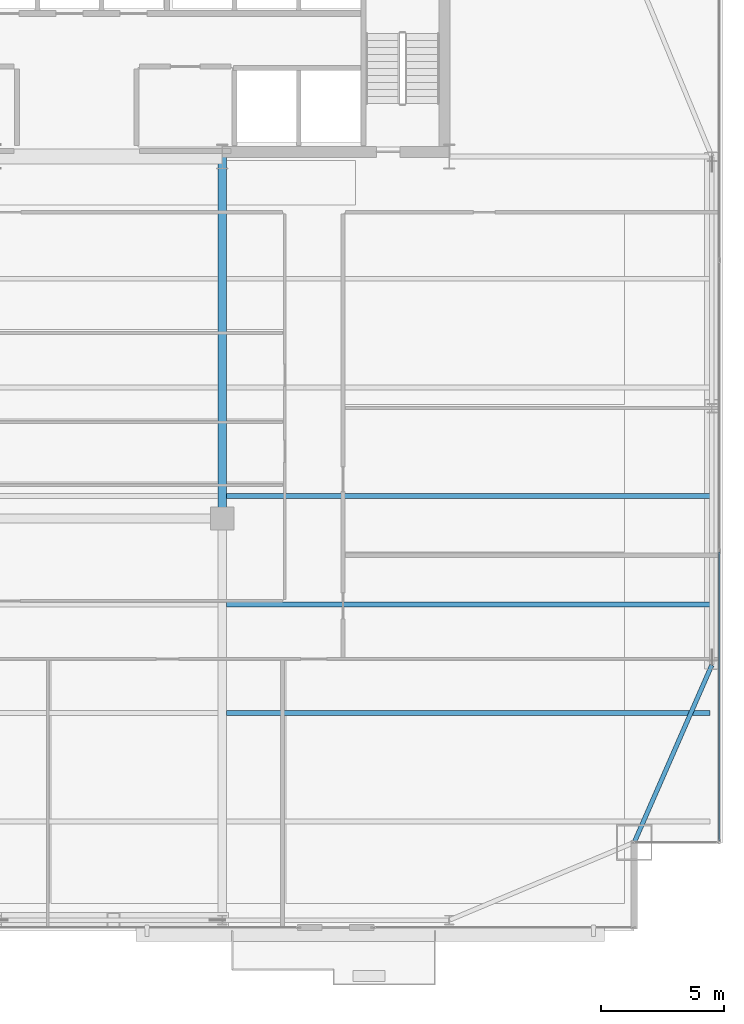
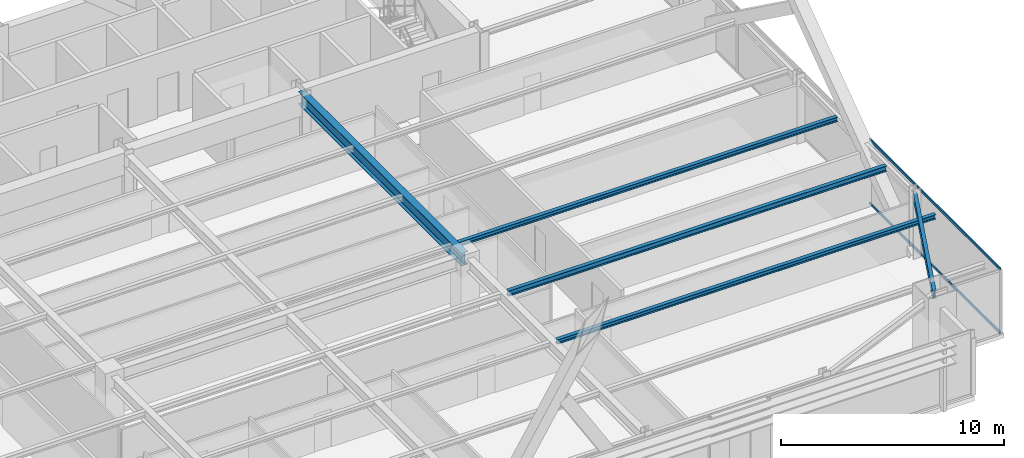
# One storey, part 18 of 37: 5 beams, 2 members, 1 element without a shape of its own.
"""IFC4 building model written with IfcOpenShell, lengths in metres."""

import ifcopenshell
import ifcopenshell.guid

model = None  # the IFC model being written
_history = None  # IfcOwnerHistory: only IFC2X3 demands one
_inside = {}  # id of a spatial element -> (the spatial element, [elements in it])
_under = {}  # id of a project, library or spatial element -> (it, [spatial elements below it])
_declared = {}  # id of a project -> (the project, [libraries it declares])
_typed = {}  # id of a type object -> (the type object, [elements of that type])
_made_of = {}  # id of a material, layer set ... -> (it, [elements and type objects made of it])


def new_model(schema):
    """Start an empty IFC model of exactly this schema.

    Asked for "IFC4X3", IfcOpenShell would pick the latest addendum, in which some entities
    have other attributes; the version numbers below select the first issue.
    IFC2X3 requires an IfcOwnerHistory on every rooted entity: one is made here for all.
    """
    global model, _history
    if schema == "IFC4X3":
        model = ifcopenshell.file(schema_version=(4, 3, 0, 0))
    else:
        model = ifcopenshell.file(schema=schema)
    _inside.clear()
    _under.clear()
    _declared.clear()
    _typed.clear()
    _made_of.clear()
    _history = None
    if model.schema == "IFC2X3":
        org = make("IfcOrganization", Name="unknown")
        user = make(
            "IfcPersonAndOrganization",
            ThePerson=make("IfcPerson", FamilyName="unknown"),
            TheOrganization=org,
        )
        app = make(
            "IfcApplication",
            ApplicationDeveloper=org,
            Version="unknown",
            ApplicationFullName="unknown",
            ApplicationIdentifier="unknown",
        )
        _history = make(
            "IfcOwnerHistory",
            OwningUser=user,
            OwningApplication=app,
            ChangeAction="ADDED",
            CreationDate=0,
        )
    return model


def make(cls, **values):
    """One entity of the class cls with the attributes given. An attribute that is None is left unset."""
    return model.create_entity(
        cls, **{name: value for name, value in values.items() if value is not None}
    )


def rooted(cls, **values):
    """An entity with a GlobalId (a new one), such as an element, a storey or a relation."""
    return make(cls, GlobalId=ifcopenshell.guid.new(), OwnerHistory=_history, **values)


def si_unit(unit_type, name, prefix=None):
    """IfcSIUnit, for example si_unit("LENGTHUNIT", "METRE", prefix="MILLI")."""
    return make("IfcSIUnit", UnitType=unit_type, Prefix=prefix, Name=name)


def assignment(units):
    """IfcUnitAssignment: the units of a project."""
    return None if units is None else make("IfcUnitAssignment", Units=units)


def point(xyz):
    """IfcCartesianPoint."""
    return None if xyz is None else make("IfcCartesianPoint", Coordinates=xyz)


def direction(xyz):
    """IfcDirection."""
    return None if xyz is None else make("IfcDirection", DirectionRatios=xyz)


def frame(location, z_axis=None, x_axis=None):
    """IfcAxis2Placement3D, a coordinate frame: its origin and axes. An axis left out is left unset."""
    return make(
        "IfcAxis2Placement3D",
        Location=point(location),
        Axis=direction(z_axis),
        RefDirection=direction(x_axis),
    )


def frame_2d(location, x_axis=None):
    """IfcAxis2Placement2D, a coordinate frame in the plane: its origin and x axis."""
    return make(
        "IfcAxis2Placement2D", Location=point(location), RefDirection=direction(x_axis)
    )


def origin():
    """The frame at (0, 0, 0) with its axes left unset."""
    return frame((0.0, 0.0, 0.0))


def origin_2d():
    """The frame at (0, 0) in the plane with its x axis left unset."""
    return frame_2d((0.0, 0.0))


def place(relative_to, where):
    """IfcLocalPlacement: puts the frame where relative to a parent placement (None: the world)."""
    return make(
        "IfcLocalPlacement", PlacementRelTo=relative_to, RelativePlacement=where
    )


def context(
    kind, dimensions, precision=None, world=None, true_north=None, identifier=None
):
    """IfcGeometricRepresentationContext, for example the 3D "Model" context."""
    return make(
        "IfcGeometricRepresentationContext",
        ContextIdentifier=identifier,
        ContextType=kind,
        CoordinateSpaceDimension=dimensions,
        Precision=precision,
        WorldCoordinateSystem=world,
        TrueNorth=true_north,
    )


def subcontext(parent, identifier, kind, view, scale=None):
    """IfcGeometricRepresentationSubContext, for example "Body" below "Model"."""
    return make(
        "IfcGeometricRepresentationSubContext",
        ContextIdentifier=identifier,
        ContextType=kind,
        ParentContext=parent,
        TargetScale=scale,
        TargetView=view,
    )


def project(units=None, contexts=None):
    """IfcProject with its units and contexts."""
    return rooted(
        "IfcProject",
        Name="project",
        RepresentationContexts=contexts,
        UnitsInContext=assignment(units),
    )


def spatial(cls, under=None, at=None, **own):
    """A site, building, storey or space (cls), placed at a placement, below another one or the project."""
    s = rooted(cls, ObjectPlacement=at, **own)
    if under is not None:
        _under.setdefault(under.id(), (under, []))[1].append(s)
    return s


def profile(cls, at=None, kind="AREA", **sizes):
    """A parametric profile (cls). Its sizes go by their IFC names, for example OverallWidth=200.0."""
    return make(cls, ProfileType=kind, Position=at, **sizes)


def hollow_rectangle(**sizes):
    """IfcRectangleHollowProfileDef."""
    return profile("IfcRectangleHollowProfileDef", **sizes)


def i_section(**sizes):
    """IfcIShapeProfileDef."""
    return profile("IfcIShapeProfileDef", **sizes)


def extrude(swept, where, along, depth):
    """IfcExtrudedAreaSolid: the profile swept, set in the frame where, extruded along a direction by depth."""
    return make(
        "IfcExtrudedAreaSolid",
        SweptArea=swept,
        Position=where,
        ExtrudedDirection=direction(along),
        Depth=depth,
    )


def shape(context_of_items, identifier, shape_type, items):
    """IfcShapeRepresentation: the items that make up one representation, for example the "Body"."""
    return make(
        "IfcShapeRepresentation",
        ContextOfItems=context_of_items,
        RepresentationIdentifier=identifier,
        RepresentationType=shape_type,
        Items=items,
    )


def source(mapping_origin, context_of_items, identifier, shape_type, items):
    """IfcRepresentationMap: a shape defined once, which mapped items show again and again."""
    return make(
        "IfcRepresentationMap",
        MappingOrigin=mapping_origin,
        MappedRepresentation=shape(context_of_items, identifier, shape_type, items),
    )


def transform(
    local_origin,
    x_axis=None,
    y_axis=None,
    z_axis=None,
    scale=None,
    scale2=None,
    scale3=None,
    uniform=True,
):
    """IfcCartesianTransformationOperator3D, or its non-uniform kind. x_axis, y_axis, z_axis: its Axis1, 2, 3."""
    if uniform:
        return make(
            "IfcCartesianTransformationOperator3D",
            Axis1=direction(x_axis),
            Axis2=direction(y_axis),
            LocalOrigin=point(local_origin),
            Scale=scale,
            Axis3=direction(z_axis),
        )
    return make(
        "IfcCartesianTransformationOperator3DnonUniform",
        Axis1=direction(x_axis),
        Axis2=direction(y_axis),
        LocalOrigin=point(local_origin),
        Scale=scale,
        Axis3=direction(z_axis),
        Scale2=scale2,
        Scale3=scale3,
    )


def mapped(mapping_source, mapping_target):
    """IfcMappedItem: shows the shape of a source again, moved by a transform."""
    return make(
        "IfcMappedItem", MappingSource=mapping_source, MappingTarget=mapping_target
    )


def material(Name=None, Category=None):
    """IfcMaterial."""
    return make("IfcMaterial", Name=Name, Category=Category)


def layer(
    of_material, thickness, ventilated=None, Name=None, Category=None, Priority=None
):
    """IfcMaterialLayer: one layer of a wall or slab, of a material (None: an air gap)."""
    return make(
        "IfcMaterialLayer",
        Material=of_material,
        LayerThickness=thickness,
        IsVentilated=ventilated,
        Name=Name,
        Category=Category,
        Priority=Priority,
    )


def layer_set(layers, Name=None):
    """IfcMaterialLayerSet."""
    return make("IfcMaterialLayerSet", MaterialLayers=layers, LayerSetName=Name)


def material_profile(
    of_material, cross_section, Name=None, Category=None, Priority=None
):
    """IfcMaterialProfile: a cross section and its material."""
    return make(
        "IfcMaterialProfile",
        Name=Name,
        Material=of_material,
        Profile=cross_section,
        Priority=Priority,
        Category=Category,
    )


def profile_set(profiles, Name=None, composite=None):
    """IfcMaterialProfileSet."""
    return make(
        "IfcMaterialProfileSet",
        Name=Name,
        MaterialProfiles=profiles,
        CompositeProfile=composite,
    )


def made_of(thing, what):
    """Note that an element or type object is made of a material, layer set ...; save() writes the relation."""
    if what is not None:
        _made_of.setdefault(what.id(), (what, []))[1].append(thing)
    return thing


def type_object(cls, material=None, **own):
    """A type object (cls), such as IfcWallType, which elements share."""
    return made_of(rooted(cls, **own), material)


def type_shapes(of_type, sources):
    """Give a type object the sources (RepresentationMaps) that its elements show as mapped items."""
    of_type.RepresentationMaps = sources


def element(
    cls,
    number,
    at=None,
    inside=None,
    cuts=None,
    type_object=None,
    material=None,
    context=None,
    identifier="Body",
    shape_type=None,
    held_by="IfcProductDefinitionShape",
    body=None,
    shapes=None,
    **own,
):
    """One element of the class cls, such as IfcWall. Its Tag is "e" and its number.

    at: its placement. inside: the storey or other place that contains it. cuts: it is an
    opening in that element (IfcRelVoidsElement). A single representation is given by context,
    identifier, shape_type and body (its items); several are given by shapes. held_by: the class
    of the entity that holds the representations. save() writes the other relations.
    """
    e = rooted(cls, Tag="e%d" % number, ObjectPlacement=at, **own)
    if body is not None:
        shapes = [shape(context, identifier, shape_type, body)]
    if shapes is not None:
        e.Representation = make(held_by, Representations=shapes)
    if inside is not None:
        _inside.setdefault(inside.id(), (inside, []))[1].append(e)
    if cuts is not None:
        rooted(
            "IfcRelVoidsElement", RelatingBuildingElement=cuts, RelatedOpeningElement=e
        )
    if type_object is not None:
        _typed.setdefault(type_object.id(), (type_object, []))[1].append(e)
    return made_of(e, material)


def aggregate(whole, parts):
    """IfcRelAggregates: a whole, such as a stair, and the parts it consists of."""
    return rooted("IfcRelAggregates", RelatingObject=whole, RelatedObjects=parts)


def save(model, path):
    """Write the relations noted so far, then the file.

    IfcRelAggregates (storeys below a building ...), IfcRelContainedInSpatialStructure (elements
    in a storey), IfcRelDefinesByType, IfcRelAssociatesMaterial and IfcRelDeclares: one each for
    every whole, place, type object, material and project.
    """
    for whole, parts in _under.values():
        aggregate(whole, parts)
    for where, things in _inside.values():
        rooted(
            "IfcRelContainedInSpatialStructure",
            RelatedElements=things,
            RelatingStructure=where,
        )
    for kind, things in _typed.values():
        rooted("IfcRelDefinesByType", RelatedObjects=things, RelatingType=kind)
    for what, things in _made_of.values():
        rooted("IfcRelAssociatesMaterial", RelatedObjects=things, RelatingMaterial=what)
    for by, libraries in _declared.values():
        rooted("IfcRelDeclares", RelatingContext=by, RelatedDefinitions=libraries)
    model.write(path)


model = new_model("IFC4")

# Units and contexts
model_context = context("Model", 3, precision=1e-05, world=origin(), true_north=direction((0.0, 1.0)))
body_context = subcontext(model_context, "Body", "Model", "MODEL_VIEW")
ifc_project = project(units=[si_unit("LENGTHUNIT", "METRE"), si_unit("AREAUNIT", "SQUARE_METRE"), si_unit("VOLUMEUNIT", "CUBIC_METRE"), si_unit("PLANEANGLEUNIT", "RADIAN"), si_unit("MASSUNIT", "GRAM", prefix="KILO")], contexts=[model_context])

# Site, building, storey
site_placement = place(None, origin())
site = spatial("IfcSite", under=ifc_project, at=site_placement, CompositionType="ELEMENT")
building_placement = place(site_placement, origin())
building = spatial("IfcBuilding", under=site, at=building_placement, Name="Varnel Quay Broadcast Tower", CompositionType="ELEMENT")
storey_placement = place(building_placement, frame((0.0, 0.0, 103.0)))
storey = spatial("IfcBuildingStorey", under=building, at=storey_placement, Name="L24", CompositionType="ELEMENT", Elevation=103.0)

# Beams
ifc_material_1 = material(Name="Structural Steel CSA G40.21 350W", Category="steel")
ifc_material_profile_1 = material_profile(ifc_material_1, i_section(OverallWidth=0.180908203125, OverallDepth=0.4169921875, WebThickness=0.010986328125, FlangeThickness=0.018310546875, FilletRadius=0.011962890625, at=origin_2d()), Name="W410X85")
ifc_profile_set_1 = profile_set([ifc_material_profile_1], Name="Structural Steel CSA G40.21 350W")
beam_type_1 = type_object("IfcBeamType", Name="Beam_W410X85", PredefinedType="SPANDREL", material=ifc_profile_set_1)
shared_shape_1 = source(origin(), body_context, "Body", "SweptSolid", [
    extrude(i_section(OverallWidth=0.180908203125, OverallDepth=0.4169921875, WebThickness=0.010986328125, FlangeThickness=0.018310546875, FilletRadius=0.011962890625, at=origin_2d()), origin(), (0.0, 0.0, 1.0), 7.81884765625),
])
type_shapes(beam_type_1, [shared_shape_1])
beam_1_placement = place(storey_placement, frame((59.907958984375, 7.818359375, 3.341552734375), z_axis=(0.400827023998, 0.916153751743, 0.0), x_axis=(-0.916153751743, 0.400827023998, 0.0)))
element("IfcBeam", 1, at=beam_1_placement, inside=storey, type_object=beam_type_1, Name="L24 East Spandrel MC-SE-TC-E1", PredefinedType="SPANDREL", context=body_context, shape_type="MappedRepresentation", body=[
    mapped(shared_shape_1, transform((0.0, 0.0, 0.0), x_axis=(1.0, 0.0, 0.0), y_axis=(0.0, 1.0, 0.0), z_axis=(0.0, 0.0, 1.0), scale=1.0)),
])
ifc_material_profile_2 = material_profile(ifc_material_1, i_section(OverallWidth=0.35498046875, OverallDepth=0.695068359375, WebThickness=0.015380859375, FlangeThickness=0.02490234375, FilletRadius=0.01806640625, at=origin_2d()), Name="W690X217")
ifc_profile_set_2 = profile_set([ifc_material_profile_2], Name="Structural Steel CSA G40.21 350W")
beam_type_2 = type_object("IfcBeamType", Name="Girder_W690X217", PredefinedType="BEAM", material=ifc_profile_set_2)
shared_shape_2 = source(origin(), body_context, "Body", "SweptSolid", [
    extrude(i_section(OverallWidth=0.35498046875, OverallDepth=0.695068359375, WebThickness=0.015380859375, FlangeThickness=0.02490234375, FilletRadius=0.01806640625, at=origin_2d()), origin(), (0.0, 0.0, 1.0), 14.630126953125),
])
type_shapes(beam_type_2, [shared_shape_2])
beam_2_placement = place(storey_placement, frame((43.199951171875, 20.949951171875, 3.202392578125), z_axis=(0.0, 1.0, 0.0), x_axis=(-1.0, 0.0, 0.0)))
element("IfcBeam", 2, at=beam_2_placement, inside=storey, type_object=beam_type_2, Name="L24 Primary Girder IC-02-CC-S4", PredefinedType="BEAM", context=body_context, shape_type="MappedRepresentation", body=[
    mapped(shared_shape_2, transform((0.0, 0.0, 0.0), x_axis=(1.0, 0.0, 0.0), y_axis=(0.0, 1.0, 0.0), z_axis=(0.0, 0.0, 1.0), scale=1.0)),
])
ifc_material_profile_3 = material_profile(ifc_material_1, i_section(OverallWidth=0.202880859375, OverallDepth=0.302978515625, WebThickness=0.007568359375, FlangeThickness=0.01318359375, FilletRadius=0.011962890625, at=origin_2d()), Name="W310X60")
ifc_profile_set_3 = profile_set([ifc_material_profile_3], Name="Structural Steel CSA G40.21 350W")
beam_type_3 = type_object("IfcBeamType", Name="Beam_W310X60", PredefinedType="JOIST", material=ifc_profile_set_3)
shared_shape_3 = source(origin(), body_context, "Body", "SweptSolid", [
    extrude(i_section(OverallWidth=0.202880859375, OverallDepth=0.302978515625, WebThickness=0.007568359375, FlangeThickness=0.01318359375, FilletRadius=0.011962890625, at=origin_2d()), origin(), (0.0, 0.0, 1.0), 19.592041015625),
])
type_shapes(beam_type_3, [shared_shape_3])
beam_3_placement = place(storey_placement, frame((43.37255859375, 17.449951171875, 3.3984375), z_axis=(1.0, 0.0, 0.0), x_axis=(0.0, 1.0, 0.0)))
element("IfcBeam", 3, at=beam_3_placement, inside=storey, type_object=beam_type_3, Name="L24 East Floor Joist 3", PredefinedType="JOIST", context=body_context, shape_type="MappedRepresentation", body=[
    mapped(shared_shape_3, transform((0.0, 0.0, 0.0), x_axis=(1.0, 0.0, 0.0), y_axis=(0.0, 1.0, 0.0), z_axis=(0.0, 0.0, 1.0), scale=1.0)),
])
ifc_material_profile_4 = material_profile(ifc_material_1, i_section(OverallWidth=0.201904296875, OverallDepth=0.2470703125, WebThickness=0.00732421875, FlangeThickness=0.010986328125, FilletRadius=0.010986328125, at=origin_2d()), Name="W250X49")
ifc_profile_set_4 = profile_set([ifc_material_profile_4], Name="Structural Steel CSA G40.21 350W")
beam_type_4 = type_object("IfcBeamType", Name="Beam_W250X49", PredefinedType="JOIST", material=ifc_profile_set_4)
shared_shape_4 = source(origin(), body_context, "Body", "SweptSolid", [
    extrude(i_section(OverallWidth=0.201904296875, OverallDepth=0.2470703125, WebThickness=0.00732421875, FlangeThickness=0.010986328125, FilletRadius=0.010986328125, at=origin_2d()), origin(), (0.0, 0.0, 1.0), 19.592041015625),
])
type_shapes(beam_type_4, [shared_shape_4])
for number, where, z_axis, x_axis, name in (
    (4, (43.37255859375, 13.050048828125, 3.426513671875), (1.0, 0.0, 0.0), (0.0, 1.0, 0.0), "L24 East Floor Joist 2"),
    (5, (43.37255859375, 21.85009765625, 3.426513671875), (1.0, 0.0, 0.0), (0.0, 1.0, 0.0), "L24 East Floor Joist 4"),
):
    element("IfcBeam", number, at=place(storey_placement, frame(where, z_axis=z_axis, x_axis=x_axis)), inside=storey, type_object=beam_type_4, Name=name, PredefinedType="JOIST", context=body_context, shape_type="MappedRepresentation", body=[
        mapped(shared_shape_4, transform((0.0, 0.0, 0.0), x_axis=(1.0, 0.0, 0.0), y_axis=(0.0, 1.0, 0.0), z_axis=(0.0, 0.0, 1.0), scale=1.0)),
    ])

# Curtain wall, members
ifc_material_2 = material(Name="Anodised Bronze Aluminium 6063-T6", Category="aluminium")
ifc_layer = layer(ifc_material_2, 0.18994140625, Name="Anodised Bronze Aluminium 6063-T6")
ifc_layer_set = layer_set([ifc_layer], Name="Anodised Bronze Aluminium 6063-T6")
curtain_wall_type = type_object("IfcCurtainWallType", Name="CW_LowerTower", PredefinedType="NOTDEFINED", material=ifc_layer_set)
curtain_wall_placement = place(storey_placement, origin())
curtain_wall = element("IfcCurtainWall", 6, at=curtain_wall_placement, inside=storey, type_object=curtain_wall_type, Name="L24 East Unitised Curtain Wall", PredefinedType="NOTDEFINED")
ifc_material_profile_5 = material_profile(ifc_material_2, hollow_rectangle(XDim=0.06005859375, YDim=0.14501953125, WallThickness=0.00341796875, at=origin_2d()), Name="ALU60X145X3.5")
ifc_profile_set_5 = profile_set([ifc_material_profile_5], Name="Anodised Bronze Aluminium 6063-T6")
member_type = type_object("IfcMemberType", Name="Tran_CWS-02", PredefinedType="USERDEFINED", material=ifc_profile_set_5)
shared_shape_5 = source(origin(), body_context, "Body", "SweptSolid", [
    extrude(hollow_rectangle(XDim=0.06005859375, YDim=0.14501953125, WallThickness=0.00341796875, at=origin_2d()), origin(), (0.0, 0.0, 1.0), 11.69482421875),
])
type_shapes(member_type, [shared_shape_5])
member_1_placement = place(storey_placement, frame((63.35009765625, 7.8701171875, 0.030029296875), z_axis=(0.0, 1.0, 0.0), x_axis=(-1.0, 0.0, 0.0)))
member_1 = element("IfcMember", 7, at=member_1_placement, type_object=member_type, Name="CWS-02 transom 1.1", ObjectType="TRANSOM", PredefinedType="USERDEFINED", context=body_context, shape_type="MappedRepresentation", body=[
    mapped(shared_shape_5, transform((0.0, 0.0, 0.0), x_axis=(1.0, 0.0, 0.0), y_axis=(0.0, 1.0, 0.0), z_axis=(0.0, 0.0, 1.0), scale=1.0)),
])
member_2_placement = place(storey_placement, frame((63.35009765625, 7.8701171875, 3.52001953125), z_axis=(0.0, 1.0, 0.0), x_axis=(-1.0, 0.0, 0.0)))
member_2 = element("IfcMember", 8, at=member_2_placement, type_object=member_type, Name="CWS-02 transom 1.2", ObjectType="TRANSOM", PredefinedType="USERDEFINED", context=body_context, shape_type="MappedRepresentation", body=[
    mapped(shared_shape_5, transform((0.0, 0.0, 0.0), x_axis=(1.0, 0.0, 0.0), y_axis=(0.0, 1.0, 0.0), z_axis=(0.0, 0.0, 1.0), scale=1.0)),
])
aggregate(curtain_wall, [member_1, member_2])

save(model, "model.ifc")
